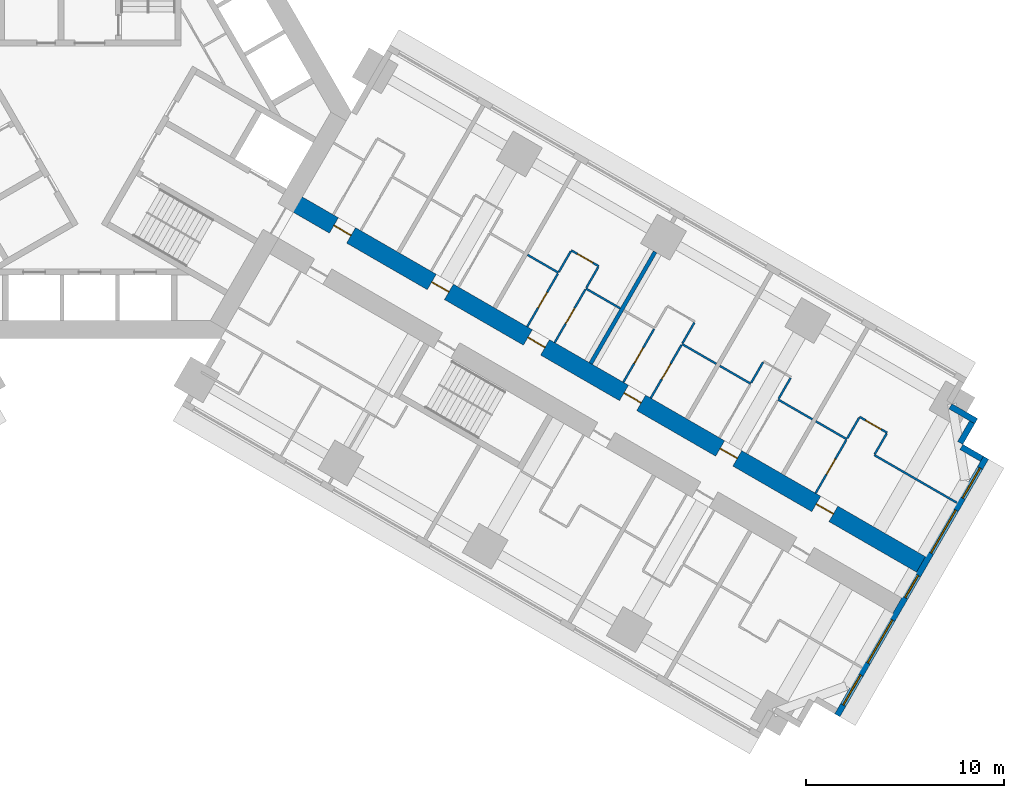
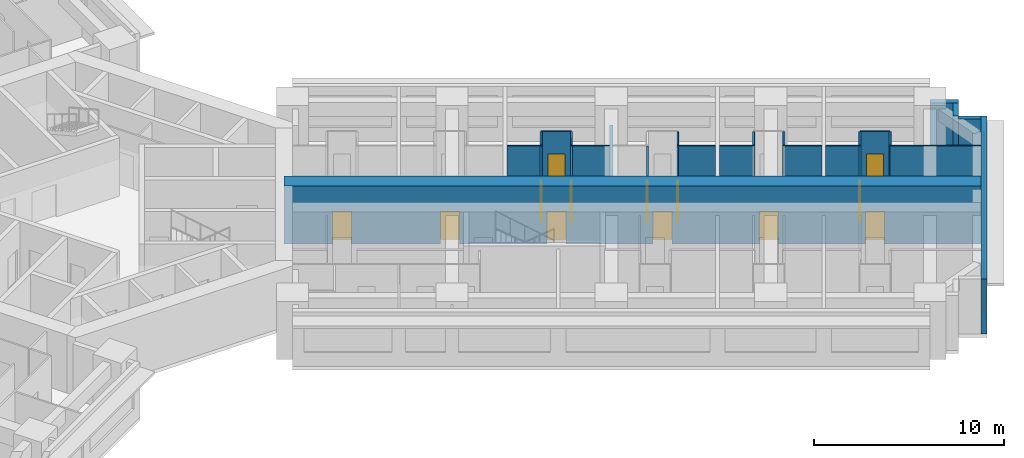
# One storey, part 12 of 16: 27 walls, 13 doors, 5 windows, 18 openings.
"""IFC4 building model written with IfcOpenShell, lengths in metres."""

from ifc_helpers import new_model, si_unit, direction, frame, frame_2d, origin, place, context, subcontext, project, spatial, rectangle, extrude, material, layer, layer_set, type_object, element, fill, save


model = new_model("IFC4")

# Units and contexts
model_context = context("Model", 3, precision=1e-05, world=origin(), true_north=direction((0.0, 1.0)))
body_context = subcontext(model_context, "Body", "Model", "MODEL_VIEW")
ifc_project = project(units=[si_unit("LENGTHUNIT", "METRE"), si_unit("AREAUNIT", "SQUARE_METRE"), si_unit("VOLUMEUNIT", "CUBIC_METRE"), si_unit("PLANEANGLEUNIT", "RADIAN"), si_unit("MASSUNIT", "GRAM", prefix="KILO")], contexts=[model_context])

# Site, building, storey
site_placement = place(None, origin())
site = spatial("IfcSite", under=ifc_project, at=site_placement, CompositionType="ELEMENT")
building_placement = place(site_placement, origin())
building = spatial("IfcBuilding", under=site, at=building_placement, Name="Impinga Residences", CompositionType="ELEMENT")
storey_placement = place(building_placement, frame((0.0, 0.0, 44.75)))
storey = spatial("IfcBuildingStorey", under=building, at=storey_placement, Name="L10", CompositionType="ELEMENT", Elevation=44.75)

# Wall, openings, doors
ifc_material_1 = material(Name="Concrete C70/85", Category="concrete")
ifc_layer_1 = layer(ifc_material_1, 0.89990234375)
ifc_layer_set_1 = layer_set([ifc_layer_1], Name="Concrete C70/85")
wall_type_1 = type_object("IfcWallType", Name="BW1 corridor buttress wall, L05 to L22 900", PredefinedType="SHEAR", material=ifc_layer_set_1)
wall_1_placement = place(storey_placement, frame((10.1103515625, -4.451416015625, 0.0), z_axis=(0.0, 0.0, 1.0), x_axis=(0.866025284237, -0.500000207062, 0.0)))
wall_1 = element("IfcWall", 1, at=wall_1_placement, inside=storey, type_object=wall_type_1, Name="Corridor wall BW1 EC L10", PredefinedType="SHEAR", context=body_context, shape_type="SweptSolid", body=[
    extrude(rectangle(XDim=36.75, YDim=0.89990234375, at=frame_2d((18.375, 0.0))), origin(), (0.0, 0.0, 1.0), 3.75),
])
opening_1_placement = place(wall_1_placement, frame((2.550048828125, 0.0, 0.0)))
opening_1 = element("IfcOpeningElement", 2, at=opening_1_placement, cuts=wall_1, Name="Opening D1", PredefinedType="OPENING", context=body_context, shape_type="SweptSolid", body=[
    extrude(rectangle(XDim=1.0, YDim=2.10009765625, at=frame_2d((0.5, 1.050048828125))), frame((0.0, 0.4599609375, 0.0), z_axis=(0.0, -1.0, 0.0), x_axis=(1.0, 0.0, 0.0)), (0.0, 0.0, 1.0), 0.919921875),
])
opening_2_placement = place(wall_1_placement, frame((8.25, 0.0, 0.0)))
opening_2 = element("IfcOpeningElement", 3, at=opening_2_placement, cuts=wall_1, Name="Opening D1", PredefinedType="OPENING", context=body_context, shape_type="SweptSolid", body=[
    extrude(rectangle(XDim=1.0, YDim=2.10009765625, at=frame_2d((0.5, 1.050048828125))), frame((0.0, 0.4599609375, 0.0), z_axis=(0.0, -1.0, 0.0), x_axis=(1.0, 0.0, 0.0)), (0.0, 0.0, 1.0), 0.919921875),
])
opening_3_placement = place(wall_1_placement, frame((13.85009765625, 0.0, 0.0)))
opening_3 = element("IfcOpeningElement", 4, at=opening_3_placement, cuts=wall_1, Name="Opening D1", PredefinedType="OPENING", context=body_context, shape_type="SweptSolid", body=[
    extrude(rectangle(XDim=1.0, YDim=2.10009765625, at=frame_2d((0.5, 1.050048828125))), frame((0.0, 0.4599609375, 0.0), z_axis=(0.0, -1.0, 0.0), x_axis=(1.0, 0.0, 0.0)), (0.0, 0.0, 1.0), 0.919921875),
])
opening_4_placement = place(wall_1_placement, frame((19.449951171875, 0.0, 0.0)))
opening_4 = element("IfcOpeningElement", 5, at=opening_4_placement, cuts=wall_1, Name="Opening D1", PredefinedType="OPENING", context=body_context, shape_type="SweptSolid", body=[
    extrude(rectangle(XDim=1.0, YDim=2.10009765625, at=frame_2d((0.5, 1.050048828125))), frame((0.0, 0.4599609375, 0.0), z_axis=(0.0, -1.0, 0.0), x_axis=(1.0, 0.0, 0.0)), (0.0, 0.0, 1.0), 0.919921875),
])
opening_5_placement = place(wall_1_placement, frame((25.050048828125, 0.0, 0.0)))
opening_5 = element("IfcOpeningElement", 6, at=opening_5_placement, cuts=wall_1, Name="Opening D1", PredefinedType="OPENING", context=body_context, shape_type="SweptSolid", body=[
    extrude(rectangle(XDim=1.0, YDim=2.10009765625, at=frame_2d((0.5, 1.050048828125))), frame((0.0, 0.4599609375, 0.0), z_axis=(0.0, -1.0, 0.0), x_axis=(1.0, 0.0, 0.0)), (0.0, 0.0, 1.0), 0.919921875),
])
opening_6_placement = place(wall_1_placement, frame((30.64990234375, 0.0, 0.0)))
opening_6 = element("IfcOpeningElement", 7, at=opening_6_placement, cuts=wall_1, Name="Opening D1", PredefinedType="OPENING", context=body_context, shape_type="SweptSolid", body=[
    extrude(rectangle(XDim=1.0, YDim=2.10009765625, at=frame_2d((0.5, 1.050048828125))), frame((0.0, 0.4599609375, 0.0), z_axis=(0.0, -1.0, 0.0), x_axis=(1.0, 0.0, 0.0)), (0.0, 0.0, 1.0), 0.919921875),
])
ifc_material_2 = material(Name="Timber door set", Category="wood")
door_type_1 = type_object("IfcDoorType", Name="D1 apartment entrance door 1000x2100", OperationType="SINGLE_SWING_LEFT", PredefinedType="DOOR", material=ifc_material_2)
door_1_placement = place(opening_1_placement, origin())
door_1 = element("IfcDoor", 8, at=door_1_placement, inside=storey, type_object=door_type_1, Name="Apartment L10-EA1 entrance", OperationType="SINGLE_SWING_LEFT", OverallHeight=2.10009765625, OverallWidth=1.0, PredefinedType="DOOR", context=body_context, shape_type="SweptSolid", body=[
    extrude(rectangle(XDim=1.0, YDim=2.10009765625, at=frame_2d((0.5, 1.050048828125))), frame((0.0, 0.02490234375, 0.0), z_axis=(0.0, -1.0, 0.0), x_axis=(1.0, 0.0, 0.0)), (0.0, 0.0, 1.0), 0.050048828125),
])
fill(opening_1, door_1)
door_2_placement = place(opening_2_placement, origin())
door_2 = element("IfcDoor", 9, at=door_2_placement, inside=storey, type_object=door_type_1, Name="Apartment L10-EA2 entrance", OperationType="SINGLE_SWING_LEFT", OverallHeight=2.10009765625, OverallWidth=1.0, PredefinedType="DOOR", context=body_context, shape_type="SweptSolid", body=[
    extrude(rectangle(XDim=1.0, YDim=2.10009765625, at=frame_2d((0.5, 1.050048828125))), frame((0.0, 0.02490234375, 0.0), z_axis=(0.0, -1.0, 0.0), x_axis=(1.0, 0.0, 0.0)), (0.0, 0.0, 1.0), 0.050048828125),
])
fill(opening_2, door_2)
door_3_placement = place(opening_3_placement, origin())
door_3 = element("IfcDoor", 10, at=door_3_placement, inside=storey, type_object=door_type_1, Name="Apartment L10-EA3 entrance", OperationType="SINGLE_SWING_LEFT", OverallHeight=2.10009765625, OverallWidth=1.0, PredefinedType="DOOR", context=body_context, shape_type="SweptSolid", body=[
    extrude(rectangle(XDim=1.0, YDim=2.10009765625, at=frame_2d((0.5, 1.050048828125))), frame((0.0, 0.02490234375, 0.0), z_axis=(0.0, -1.0, 0.0), x_axis=(1.0, 0.0, 0.0)), (0.0, 0.0, 1.0), 0.050048828125),
])
fill(opening_3, door_3)
door_4_placement = place(opening_4_placement, origin())
door_4 = element("IfcDoor", 11, at=door_4_placement, inside=storey, type_object=door_type_1, Name="Apartment L10-EA4 entrance", OperationType="SINGLE_SWING_RIGHT", OverallHeight=2.10009765625, OverallWidth=1.0, PredefinedType="DOOR", context=body_context, shape_type="SweptSolid", body=[
    extrude(rectangle(XDim=1.0, YDim=2.10009765625, at=frame_2d((0.5, 1.050048828125))), frame((0.0, 0.02490234375, 0.0), z_axis=(0.0, -1.0, 0.0), x_axis=(1.0, 0.0, 0.0)), (0.0, 0.0, 1.0), 0.050048828125),
])
fill(opening_4, door_4)
door_5_placement = place(opening_5_placement, origin())
door_5 = element("IfcDoor", 12, at=door_5_placement, inside=storey, type_object=door_type_1, Name="Apartment L10-EA5 entrance", OperationType="SINGLE_SWING_RIGHT", OverallHeight=2.10009765625, OverallWidth=1.0, PredefinedType="DOOR", context=body_context, shape_type="SweptSolid", body=[
    extrude(rectangle(XDim=1.0, YDim=2.10009765625, at=frame_2d((0.5, 1.050048828125))), frame((0.0, 0.02490234375, 0.0), z_axis=(0.0, -1.0, 0.0), x_axis=(1.0, 0.0, 0.0)), (0.0, 0.0, 1.0), 0.050048828125),
])
fill(opening_5, door_5)
door_6_placement = place(opening_6_placement, origin())
door_6 = element("IfcDoor", 13, at=door_6_placement, inside=storey, type_object=door_type_1, Name="Apartment L10-EA6 entrance", OperationType="SINGLE_SWING_RIGHT", OverallHeight=2.10009765625, OverallWidth=1.0, PredefinedType="DOOR", context=body_context, shape_type="SweptSolid", body=[
    extrude(rectangle(XDim=1.0, YDim=2.10009765625, at=frame_2d((0.5, 1.050048828125))), frame((0.0, 0.02490234375, 0.0), z_axis=(0.0, -1.0, 0.0), x_axis=(1.0, 0.0, 0.0)), (0.0, 0.0, 1.0), 0.050048828125),
])
fill(opening_6, door_6)

# Walls
ifc_material_3 = material(Name="Terracotta rainscreen on blockwork", Category="masonry")
ifc_layer_2 = layer(ifc_material_3, 0.300048828125)
ifc_layer_set_2 = layer_set([ifc_layer_2], Name="EW1 external wall, terracotta rainscreen on blockwork 300")
wall_type_2 = type_object("IfcWallType", Name="EW1 external wall, terracotta rainscreen on blockwork 300", PredefinedType="SOLIDWALL", material=ifc_layer_set_2)
wall_2_placement = place(storey_placement, frame((43.42333984375, -14.8515625, 0.0), z_axis=(0.0, 0.0, 1.0), x_axis=(0.866031096941, -0.499990139034, 0.0)))
element("IfcWall", 14, at=wall_2_placement, inside=storey, type_object=wall_type_2, Name="External wall EW1 L10", PredefinedType="SOLIDWALL", context=body_context, shape_type="SweptSolid", body=[
    extrude(rectangle(XDim=1.5, YDim=0.300048828125, at=frame_2d((0.75, 0.0))), origin(), (0.0, 0.0, 1.0), 3.530029296875),
])
wall_3_placement = place(storey_placement, frame((44.517578125, -15.65625, 0.0), z_axis=(0.0, 0.0, 1.0), x_axis=(-0.500033551112, -0.866006032174, 0.0)))
element("IfcWall", 15, at=wall_3_placement, inside=storey, type_object=wall_type_2, Name="External wall EW1 L10", PredefinedType="SOLIDWALL", context=body_context, shape_type="SweptSolid", body=[
    extrude(rectangle(XDim=1.2001953125, YDim=0.300048828125, at=frame_2d((0.60009765625, 0.0))), origin(), (0.0, 0.0, 1.0), 3.530029296875),
])
wall_4_placement = place(storey_placement, frame((43.976806640625, -16.903076171875, 0.0), z_axis=(0.0, 0.0, 1.0), x_axis=(0.866059708757, -0.499940577336, 0.0)))
element("IfcWall", 16, at=wall_4_placement, inside=storey, type_object=wall_type_2, Name="External wall EW1 L10", PredefinedType="SOLIDWALL", context=body_context, shape_type="SweptSolid", body=[
    extrude(rectangle(XDim=1.195068359375, YDim=0.300048828125, at=frame_2d((0.59765625, 0.0))), origin(), (0.0, 0.0, 1.0), 3.530029296875),
])

# Wall, openings, windows
wall_5_placement = place(storey_placement, frame((45.216552734375, -17.445556640625, 0.0), z_axis=(0.0, 0.0, 1.0), x_axis=(-0.499997186618, -0.866027028085, 0.0)))
wall_5 = element("IfcWall", 17, at=wall_5_placement, inside=storey, type_object=wall_type_2, Name="External wall EW1 L10", PredefinedType="SOLIDWALL", context=body_context, shape_type="SweptSolid", body=[
    extrude(rectangle(XDim=15.0, YDim=0.300048828125, at=frame_2d((7.5, 0.0))), origin(), (0.0, 0.0, 1.0), 3.530029296875),
])
opening_7_placement = place(wall_5_placement, frame((0.60009765625, 0.0, 0.89990234375)))
opening_7 = element("IfcOpeningElement", 18, at=opening_7_placement, cuts=wall_5, Name="Opening W1", PredefinedType="OPENING", context=body_context, shape_type="SweptSolid", body=[
    extrude(rectangle(XDim=1.75, YDim=2.050048828125, at=frame_2d((0.875, 1.02490234375))), frame((0.0, 0.159912109375, 0.0), z_axis=(0.0, -1.0, 0.0), x_axis=(1.0, 0.0, 0.0)), (0.0, 0.0, 1.0), 0.320068359375),
])
opening_8_placement = place(wall_5_placement, frame((3.050048828125, 0.0, 0.89990234375)))
opening_8 = element("IfcOpeningElement", 19, at=opening_8_placement, cuts=wall_5, Name="Opening W2", PredefinedType="OPENING", context=body_context, shape_type="SweptSolid", body=[
    extrude(rectangle(XDim=2.5, YDim=2.050048828125, at=frame_2d((1.25, 1.02490234375))), frame((0.0, 0.159912109375, 0.0), z_axis=(0.0, -1.0, 0.0), x_axis=(1.0, 0.0, 0.0)), (0.0, 0.0, 1.0), 0.320068359375),
])
opening_9_placement = place(wall_5_placement, frame((6.85009765625, 0.0, 0.89990234375)))
opening_9 = element("IfcOpeningElement", 20, at=opening_9_placement, cuts=wall_5, Name="Opening WE1", PredefinedType="OPENING", context=body_context, shape_type="SweptSolid", body=[
    extrude(rectangle(XDim=1.300048828125, YDim=2.050048828125, at=frame_2d((0.64990234375, 1.02490234375))), frame((0.0, 0.159912109375, 0.0), z_axis=(0.0, -1.0, 0.0), x_axis=(1.0, 0.0, 0.0)), (0.0, 0.0, 1.0), 0.320068359375),
])
opening_10_placement = place(wall_5_placement, frame((9.449951171875, 0.0, 0.89990234375)))
opening_10 = element("IfcOpeningElement", 21, at=opening_10_placement, cuts=wall_5, Name="Opening W2", PredefinedType="OPENING", context=body_context, shape_type="SweptSolid", body=[
    extrude(rectangle(XDim=2.5, YDim=2.050048828125, at=frame_2d((1.25, 1.02490234375))), frame((0.0, 0.159912109375, 0.0), z_axis=(0.0, -1.0, 0.0), x_axis=(1.0, 0.0, 0.0)), (0.0, 0.0, 1.0), 0.320068359375),
])
opening_11_placement = place(wall_5_placement, frame((12.64990234375, 0.0, 0.89990234375)))
opening_11 = element("IfcOpeningElement", 22, at=opening_11_placement, cuts=wall_5, Name="Opening W1", PredefinedType="OPENING", context=body_context, shape_type="SweptSolid", body=[
    extrude(rectangle(XDim=1.75, YDim=2.050048828125, at=frame_2d((0.875, 1.02490234375))), frame((0.0, 0.159912109375, 0.0), z_axis=(0.0, -1.0, 0.0), x_axis=(1.0, 0.0, 0.0)), (0.0, 0.0, 1.0), 0.320068359375),
])
ifc_material_4 = material(Name="Aluminium window, clear double glazing", Category="aluminium")
window_type_1 = type_object("IfcWindowType", Name="W1 ribbon window 1750x2050", PartitioningType="SINGLE_PANEL", PredefinedType="WINDOW", material=ifc_material_4)
window_1_placement = place(opening_7_placement, origin())
window_1 = element("IfcWindow", 23, at=window_1_placement, inside=storey, type_object=window_type_1, Name="Window L10", OverallHeight=2.050048828125, OverallWidth=1.75, PartitioningType="SINGLE_PANEL", PredefinedType="WINDOW", context=body_context, shape_type="SweptSolid", body=[
    extrude(rectangle(XDim=1.75, YDim=2.050048828125, at=frame_2d((0.875, 1.02490234375))), frame((0.0, 0.030029296875, 0.0), z_axis=(0.0, -1.0, 0.0), x_axis=(1.0, 0.0, 0.0)), (0.0, 0.0, 1.0), 0.06005859375),
])
fill(opening_7, window_1)
window_2_placement = place(opening_11_placement, origin())
window_2 = element("IfcWindow", 24, at=window_2_placement, inside=storey, type_object=window_type_1, Name="Window L10", OverallHeight=2.050048828125, OverallWidth=1.75, PartitioningType="SINGLE_PANEL", PredefinedType="WINDOW", context=body_context, shape_type="SweptSolid", body=[
    extrude(rectangle(XDim=1.75, YDim=2.050048828125, at=frame_2d((0.875, 1.02490234375))), frame((0.0, 0.030029296875, 0.0), z_axis=(0.0, -1.0, 0.0), x_axis=(1.0, 0.0, 0.0)), (0.0, 0.0, 1.0), 0.06005859375),
])
fill(opening_11, window_2)
window_type_2 = type_object("IfcWindowType", Name="W2 ribbon window 2500x2050", PartitioningType="SINGLE_PANEL", PredefinedType="WINDOW", material=ifc_material_4)
window_3_placement = place(opening_8_placement, origin())
window_3 = element("IfcWindow", 25, at=window_3_placement, inside=storey, type_object=window_type_2, Name="Window L10", OverallHeight=2.050048828125, OverallWidth=2.5, PartitioningType="SINGLE_PANEL", PredefinedType="WINDOW", context=body_context, shape_type="SweptSolid", body=[
    extrude(rectangle(XDim=2.5, YDim=2.050048828125, at=frame_2d((1.25, 1.02490234375))), frame((0.0, 0.030029296875, 0.0), z_axis=(0.0, -1.0, 0.0), x_axis=(1.0, 0.0, 0.0)), (0.0, 0.0, 1.0), 0.06005859375),
])
fill(opening_8, window_3)
window_4_placement = place(opening_10_placement, origin())
window_4 = element("IfcWindow", 26, at=window_4_placement, inside=storey, type_object=window_type_2, Name="Window L10", OverallHeight=2.050048828125, OverallWidth=2.5, PartitioningType="SINGLE_PANEL", PredefinedType="WINDOW", context=body_context, shape_type="SweptSolid", body=[
    extrude(rectangle(XDim=2.5, YDim=2.050048828125, at=frame_2d((1.25, 1.02490234375))), frame((0.0, 0.030029296875, 0.0), z_axis=(0.0, -1.0, 0.0), x_axis=(1.0, 0.0, 0.0)), (0.0, 0.0, 1.0), 0.06005859375),
])
fill(opening_10, window_4)
window_type_3 = type_object("IfcWindowType", Name="WE1 corridor window 1300x2050", PartitioningType="SINGLE_PANEL", PredefinedType="WINDOW", material=ifc_material_4)
window_5_placement = place(opening_9_placement, origin())
window_5 = element("IfcWindow", 27, at=window_5_placement, inside=storey, type_object=window_type_3, Name="Window L10", OverallHeight=2.050048828125, OverallWidth=1.300048828125, PartitioningType="SINGLE_PANEL", PredefinedType="WINDOW", context=body_context, shape_type="SweptSolid", body=[
    extrude(rectangle(XDim=1.300048828125, YDim=2.050048828125, at=frame_2d((0.64990234375, 1.02490234375))), frame((0.0, 0.030029296875, 0.0), z_axis=(0.0, -1.0, 0.0), x_axis=(1.0, 0.0, 0.0)), (0.0, 0.0, 1.0), 0.06005859375),
])
fill(opening_9, window_5)

# Walls
ifc_material_5 = material(Name="Gypsum board on steel studs", Category="steel")
ifc_layer_3 = layer(ifc_material_5, 0.10009765625)
ifc_layer_set_3 = layer_set([ifc_layer_3], Name="Gypsum board on steel studs")
wall_type_3 = type_object("IfcWallType", Name="IP1 partition 100", PredefinedType="PARTITIONING", material=ifc_layer_set_3)
wall_6_placement = place(storey_placement, frame((22.086181640625, -7.208740234375, 0.0), z_axis=(0.0, 0.0, 1.0), x_axis=(0.865989075817, -0.500062916607, 0.0)))
element("IfcWall", 28, at=wall_6_placement, inside=storey, type_object=wall_type_3, Name="Partition L10-EA3:DIV0", PredefinedType="PARTITIONING", context=body_context, shape_type="SweptSolid", body=[
    extrude(rectangle(XDim=1.800048828125, YDim=0.10009765625, at=frame_2d((0.89990234375, 0.0))), origin(), (0.0, 0.0, 1.0), 3.530029296875),
])
wall_7_placement = place(storey_placement, frame((25.030517578125, -8.908935546875, 0.0), z_axis=(0.0, 0.0, 1.0), x_axis=(0.866041268327, -0.499972520799, 0.0)))
element("IfcWall", 29, at=wall_7_placement, inside=storey, type_object=wall_type_3, Name="Partition L10-EA3:DIV1", PredefinedType="PARTITIONING", context=body_context, shape_type="SweptSolid", body=[
    extrude(rectangle(XDim=2.0, YDim=0.10009765625, at=frame_2d((1.0, 0.0))), origin(), (0.0, 0.0, 1.0), 3.530029296875),
])

# Wall, opening, door
wall_8_placement = place(storey_placement, frame((24.294921875, -6.98291015625, 0.0), z_axis=(0.0, 0.0, 1.0), x_axis=(0.866028054938, -0.499995408039, 0.0)))
wall_8 = element("IfcWall", 30, at=wall_8_placement, inside=storey, type_object=wall_type_3, Name="Partition L10-EA3:STRIP", PredefinedType="PARTITIONING", context=body_context, shape_type="SweptSolid", body=[
    extrude(rectangle(XDim=1.60009765625, YDim=0.10009765625, at=frame_2d((0.800048828125, 0.0))), origin(), (0.0, 0.0, 1.0), 3.530029296875),
])
opening_12_placement = place(wall_8_placement, frame((0.35009765625, 0.0, 0.0)))
opening_12 = element("IfcOpeningElement", 31, at=opening_12_placement, cuts=wall_8, Name="Opening D2", PredefinedType="OPENING", context=body_context, shape_type="SweptSolid", body=[
    extrude(rectangle(XDim=0.89990234375, YDim=2.10009765625, at=frame_2d((0.449951171875, 1.050048828125))), frame((0.0, 0.06005859375, 0.0), z_axis=(0.0, -1.0, 0.0), x_axis=(1.0, 0.0, 0.0)), (0.0, 0.0, 1.0), 0.1201171875),
])
door_type_2 = type_object("IfcDoorType", Name="D2 internal door 900x2100", OperationType="SINGLE_SWING_LEFT", PredefinedType="DOOR", material=ifc_material_2)
door_7_placement = place(opening_12_placement, origin())
door_7 = element("IfcDoor", 32, at=door_7_placement, inside=storey, type_object=door_type_2, Name="Apartment L10-EA3 room door", OperationType="SINGLE_SWING_LEFT", OverallHeight=2.10009765625, OverallWidth=0.89990234375, PredefinedType="DOOR", context=body_context, shape_type="SweptSolid", body=[
    extrude(rectangle(XDim=0.89990234375, YDim=2.10009765625, at=frame_2d((0.449951171875, 1.050048828125))), frame((0.0, 0.02490234375, 0.0), z_axis=(0.0, -1.0, 0.0), x_axis=(1.0, 0.0, 0.0)), (0.0, 0.0, 1.0), 0.050048828125),
])
fill(opening_12, door_7)

# Walls
wall_9_placement = place(storey_placement, frame((23.669921875, -8.0654296875, 0.0), z_axis=(0.0, 0.0, 1.0), x_axis=(0.50012165622, 0.865955154139, 0.0)))
element("IfcWall", 33, at=wall_9_placement, inside=storey, type_object=wall_type_3, Name="Partition L10-EA3:SE0", PredefinedType="PARTITIONING", context=body_context, shape_type="SweptSolid", body=[
    extrude(rectangle(XDim=1.199951171875, YDim=0.10009765625, at=frame_2d((0.60009765625, 0.0))), origin(), (0.0, 0.0, 1.0), 3.530029296875),
])
wall_10_placement = place(storey_placement, frame((25.0556640625, -8.865478515625, 0.0), z_axis=(0.0, 0.0, 1.0), x_axis=(0.499969057507, 0.866043267704, 0.0)))
element("IfcWall", 34, at=wall_10_placement, inside=storey, type_object=wall_type_3, Name="Partition L10-EA3:SE1", PredefinedType="PARTITIONING", context=body_context, shape_type="SweptSolid", body=[
    extrude(rectangle(XDim=1.19970703125, YDim=0.10009765625, at=frame_2d((0.599853515625, 0.0))), origin(), (0.0, 0.0, 1.0), 3.530029296875),
])

# Wall, opening, door
wall_11_placement = place(storey_placement, frame((22.06982421875, -10.8369140625, 0.0), z_axis=(0.0, 0.0, 1.0), x_axis=(0.49999285859, 0.86602952684, 0.0)))
wall_11 = element("IfcWall", 35, at=wall_11_placement, inside=storey, type_object=wall_type_3, Name="Partition L10-EA3:IB1", PredefinedType="PARTITIONING", context=body_context, shape_type="SweptSolid", body=[
    extrude(rectangle(XDim=3.10009765625, YDim=0.10009765625, at=frame_2d((1.550048828125, 0.0))), origin(), (0.0, 0.0, 1.0), 3.530029296875),
])
opening_13_placement = place(wall_11_placement, frame((1.10009765625, 0.0, 0.0)))
opening_13 = element("IfcOpeningElement", 36, at=opening_13_placement, cuts=wall_11, Name="Opening D2", PredefinedType="OPENING", context=body_context, shape_type="SweptSolid", body=[
    extrude(rectangle(XDim=0.89990234375, YDim=2.10009765625, at=frame_2d((0.449951171875, 1.050048828125))), frame((0.0, 0.06005859375, 0.0), z_axis=(0.0, -1.0, 0.0), x_axis=(1.0, 0.0, 0.0)), (0.0, 0.0, 1.0), 0.1201171875),
])
door_8_placement = place(opening_13_placement, origin())
door_8 = element("IfcDoor", 37, at=door_8_placement, inside=storey, type_object=door_type_2, Name="Apartment L10-EA3 bathroom door", OperationType="SINGLE_SWING_LEFT", OverallHeight=2.10009765625, OverallWidth=0.89990234375, PredefinedType="DOOR", context=body_context, shape_type="SweptSolid", body=[
    extrude(rectangle(XDim=0.89990234375, YDim=2.10009765625, at=frame_2d((0.449951171875, 1.050048828125))), frame((0.0, 0.02490234375, 0.0), z_axis=(0.0, -1.0, 0.0), x_axis=(1.0, 0.0, 0.0)), (0.0, 0.0, 1.0), 0.050048828125),
])
fill(opening_13, door_8)

wall_12_placement = place(storey_placement, frame((23.45556640625, -11.63671875, 0.0), z_axis=(0.0, 0.0, 1.0), x_axis=(0.500026960575, 0.86600983753, 0.0)))
wall_12 = element("IfcWall", 38, at=wall_12_placement, inside=storey, type_object=wall_type_3, Name="Partition L10-EA3:IB2", PredefinedType="PARTITIONING", context=body_context, shape_type="SweptSolid", body=[
    extrude(rectangle(XDim=3.099853515625, YDim=0.10009765625, at=frame_2d((1.5498046875, 0.0))), origin(), (0.0, 0.0, 1.0), 3.530029296875),
])
opening_14_placement = place(wall_12_placement, frame((1.10009765625, 0.0, 0.0)))
opening_14 = element("IfcOpeningElement", 39, at=opening_14_placement, cuts=wall_12, Name="Opening D2", PredefinedType="OPENING", context=body_context, shape_type="SweptSolid", body=[
    extrude(rectangle(XDim=0.89990234375, YDim=2.10009765625, at=frame_2d((0.449951171875, 1.050048828125))), frame((0.0, 0.06005859375, 0.0), z_axis=(0.0, -1.0, 0.0), x_axis=(1.0, 0.0, 0.0)), (0.0, 0.0, 1.0), 0.1201171875),
])
door_9_placement = place(opening_14_placement, origin())
door_9 = element("IfcDoor", 40, at=door_9_placement, inside=storey, type_object=door_type_2, Name="Apartment L10-EA3 WC door", OperationType="SINGLE_SWING_LEFT", OverallHeight=2.10009765625, OverallWidth=0.89990234375, PredefinedType="DOOR", context=body_context, shape_type="SweptSolid", body=[
    extrude(rectangle(XDim=0.89990234375, YDim=2.10009765625, at=frame_2d((0.449951171875, 1.050048828125))), frame((0.0, 0.02490234375, 0.0), z_axis=(0.0, -1.0, 0.0), x_axis=(1.0, 0.0, 0.0)), (0.0, 0.0, 1.0), 0.050048828125),
])
fill(opening_14, door_9)

# Walls
wall_13_placement = place(storey_placement, frame((29.88037109375, -11.708740234375, 0.0), z_axis=(0.0, 0.0, 1.0), x_axis=(0.866010750942, -0.50002537861, 0.0)))
element("IfcWall", 41, at=wall_13_placement, inside=storey, type_object=wall_type_3, Name="Partition L10-EA4:DIV1", PredefinedType="PARTITIONING", context=body_context, shape_type="SweptSolid", body=[
    extrude(rectangle(XDim=2.0, YDim=0.10009765625, at=frame_2d((1.0, 0.0))), origin(), (0.0, 0.0, 1.0), 3.530029296875),
])
wall_14_placement = place(storey_placement, frame((29.9052734375, -11.66552734375, 0.0), z_axis=(0.0, 0.0, 1.0), x_axis=(0.500033551112, 0.866006032174, 0.0)))
element("IfcWall", 42, at=wall_14_placement, inside=storey, type_object=wall_type_3, Name="Partition L10-EA4:SE1", PredefinedType="PARTITIONING", context=body_context, shape_type="SweptSolid", body=[
    extrude(rectangle(XDim=1.2001953125, YDim=0.10009765625, at=frame_2d((0.60009765625, 0.0))), origin(), (0.0, 0.0, 1.0), 3.530029296875),
])

# Wall, opening, door
wall_15_placement = place(storey_placement, frame((26.919677734375, -13.63671875, 0.0), z_axis=(0.0, 0.0, 1.0), x_axis=(0.500026960575, 0.86600983753, 0.0)))
wall_15 = element("IfcWall", 43, at=wall_15_placement, inside=storey, type_object=wall_type_3, Name="Partition L10-EA4:IB1", PredefinedType="PARTITIONING", context=body_context, shape_type="SweptSolid", body=[
    extrude(rectangle(XDim=3.099853515625, YDim=0.10009765625, at=frame_2d((1.5498046875, 0.0))), origin(), (0.0, 0.0, 1.0), 3.530029296875),
])
opening_15_placement = place(wall_15_placement, frame((1.10009765625, 0.0, 0.0)))
opening_15 = element("IfcOpeningElement", 44, at=opening_15_placement, cuts=wall_15, Name="Opening D2", PredefinedType="OPENING", context=body_context, shape_type="SweptSolid", body=[
    extrude(rectangle(XDim=0.89990234375, YDim=2.10009765625, at=frame_2d((0.449951171875, 1.050048828125))), frame((0.0, 0.06005859375, 0.0), z_axis=(0.0, -1.0, 0.0), x_axis=(1.0, 0.0, 0.0)), (0.0, 0.0, 1.0), 0.1201171875),
])
door_10_placement = place(opening_15_placement, origin())
door_10 = element("IfcDoor", 45, at=door_10_placement, inside=storey, type_object=door_type_2, Name="Apartment L10-EA4 bathroom door", OperationType="SINGLE_SWING_LEFT", OverallHeight=2.10009765625, OverallWidth=0.89990234375, PredefinedType="DOOR", context=body_context, shape_type="SweptSolid", body=[
    extrude(rectangle(XDim=0.89990234375, YDim=2.10009765625, at=frame_2d((0.449951171875, 1.050048828125))), frame((0.0, 0.02490234375, 0.0), z_axis=(0.0, -1.0, 0.0), x_axis=(1.0, 0.0, 0.0)), (0.0, 0.0, 1.0), 0.050048828125),
])
fill(opening_15, door_10)

wall_16_placement = place(storey_placement, frame((28.305419921875, -14.436767578125, 0.0), z_axis=(0.0, 0.0, 1.0), x_axis=(0.499967891604, 0.866043940782, 0.0)))
wall_16 = element("IfcWall", 46, at=wall_16_placement, inside=storey, type_object=wall_type_3, Name="Partition L10-EA4:IB2", PredefinedType="PARTITIONING", context=body_context, shape_type="SweptSolid", body=[
    extrude(rectangle(XDim=3.099853515625, YDim=0.10009765625, at=frame_2d((1.5498046875, 0.0))), origin(), (0.0, 0.0, 1.0), 3.530029296875),
])
opening_16_placement = place(wall_16_placement, frame((1.10009765625, 0.0, 0.0)))
opening_16 = element("IfcOpeningElement", 47, at=opening_16_placement, cuts=wall_16, Name="Opening D2", PredefinedType="OPENING", context=body_context, shape_type="SweptSolid", body=[
    extrude(rectangle(XDim=0.89990234375, YDim=2.10009765625, at=frame_2d((0.449951171875, 1.050048828125))), frame((0.0, 0.06005859375, 0.0), z_axis=(0.0, -1.0, 0.0), x_axis=(1.0, 0.0, 0.0)), (0.0, 0.0, 1.0), 0.1201171875),
])
door_11_placement = place(opening_16_placement, origin())
door_11 = element("IfcDoor", 48, at=door_11_placement, inside=storey, type_object=door_type_2, Name="Apartment L10-EA4 WC door", OperationType="SINGLE_SWING_LEFT", OverallHeight=2.10009765625, OverallWidth=0.89990234375, PredefinedType="DOOR", context=body_context, shape_type="SweptSolid", body=[
    extrude(rectangle(XDim=0.89990234375, YDim=2.10009765625, at=frame_2d((0.449951171875, 1.050048828125))), frame((0.0, 0.02490234375, 0.0), z_axis=(0.0, -1.0, 0.0), x_axis=(1.0, 0.0, 0.0)), (0.0, 0.0, 1.0), 0.050048828125),
])
fill(opening_16, door_11)

# Walls
wall_17_placement = place(storey_placement, frame((31.78564453125, -12.808837890625, 0.0), z_axis=(0.0, 0.0, 1.0), x_axis=(0.866047807691, -0.499961193289, 0.0)))
element("IfcWall", 49, at=wall_17_placement, inside=storey, type_object=wall_type_3, Name="Partition L10-EA5:DIV0", PredefinedType="PARTITIONING", context=body_context, shape_type="SweptSolid", body=[
    extrude(rectangle(XDim=1.800048828125, YDim=0.10009765625, at=frame_2d((0.89990234375, 0.0))), origin(), (0.0, 0.0, 1.0), 3.530029296875),
])
wall_18_placement = place(storey_placement, frame((34.72998046875, -14.5087890625, 0.0), z_axis=(0.0, 0.0, 1.0), x_axis=(0.866041268327, -0.499972520799, 0.0)))
element("IfcWall", 50, at=wall_18_placement, inside=storey, type_object=wall_type_3, Name="Partition L10-EA5:DIV1", PredefinedType="PARTITIONING", context=body_context, shape_type="SweptSolid", body=[
    extrude(rectangle(XDim=2.0, YDim=0.10009765625, at=frame_2d((1.0, 0.0))), origin(), (0.0, 0.0, 1.0), 3.530029296875),
])
wall_19_placement = place(storey_placement, frame((33.369384765625, -13.66552734375, 0.0), z_axis=(0.0, 0.0, 1.0), x_axis=(0.500033551112, 0.866006032174, 0.0)))
element("IfcWall", 51, at=wall_19_placement, inside=storey, type_object=wall_type_3, Name="Partition L10-EA5:SE0", PredefinedType="PARTITIONING", context=body_context, shape_type="SweptSolid", body=[
    extrude(rectangle(XDim=1.2001953125, YDim=0.10009765625, at=frame_2d((0.60009765625, 0.0))), origin(), (0.0, 0.0, 1.0), 3.530029296875),
])
wall_20_placement = place(storey_placement, frame((34.755126953125, -14.465576171875, 0.0), z_axis=(0.0, 0.0, 1.0), x_axis=(0.499880961361, 0.866094119867, 0.0)))
element("IfcWall", 52, at=wall_20_placement, inside=storey, type_object=wall_type_3, Name="Partition L10-EA5:SE1", PredefinedType="PARTITIONING", context=body_context, shape_type="SweptSolid", body=[
    extrude(rectangle(XDim=1.199951171875, YDim=0.10009765625, at=frame_2d((0.60009765625, 0.0))), origin(), (0.0, 0.0, 1.0), 3.530029296875),
])
wall_21_placement = place(storey_placement, frame((36.63525390625, -15.60888671875, 0.0), z_axis=(0.0, 0.0, 1.0), x_axis=(0.866047807691, -0.499961193289, 0.0)))
element("IfcWall", 53, at=wall_21_placement, inside=storey, type_object=wall_type_3, Name="Partition L10-EA6:DIV0", PredefinedType="PARTITIONING", context=body_context, shape_type="SweptSolid", body=[
    extrude(rectangle(XDim=1.800048828125, YDim=0.10009765625, at=frame_2d((0.89990234375, 0.0))), origin(), (0.0, 0.0, 1.0), 3.530029296875),
])
wall_22_placement = place(storey_placement, frame((39.579833984375, -17.308837890625, 0.0), z_axis=(0.0, 0.0, 1.0), x_axis=(0.866037363387, -0.499979284789, 0.0)))
element("IfcWall", 54, at=wall_22_placement, inside=storey, type_object=wall_type_3, Name="Partition L10-EA6:DIV1", PredefinedType="PARTITIONING", context=body_context, shape_type="SweptSolid", body=[
    extrude(rectangle(XDim=4.800048828125, YDim=0.10009765625, at=frame_2d((2.39990234375, 0.0))), origin(), (0.0, 0.0, 1.0), 3.530029296875),
])

# Wall, opening, door
wall_23_placement = place(storey_placement, frame((38.84423828125, -15.383056640625, 0.0), z_axis=(0.0, 0.0, 1.0), x_axis=(0.865989903783, -0.500061482766, 0.0)))
wall_23 = element("IfcWall", 55, at=wall_23_placement, inside=storey, type_object=wall_type_3, Name="Partition L10-EA6:STRIP", PredefinedType="PARTITIONING", context=body_context, shape_type="SweptSolid", body=[
    extrude(rectangle(XDim=1.599853515625, YDim=0.10009765625, at=frame_2d((0.7998046875, 0.0))), origin(), (0.0, 0.0, 1.0), 3.530029296875),
])
opening_17_placement = place(wall_23_placement, frame((0.35009765625, 0.0, 0.0)))
opening_17 = element("IfcOpeningElement", 56, at=opening_17_placement, cuts=wall_23, Name="Opening D2", PredefinedType="OPENING", context=body_context, shape_type="SweptSolid", body=[
    extrude(rectangle(XDim=0.89990234375, YDim=2.10009765625, at=frame_2d((0.449951171875, 1.050048828125))), frame((0.0, 0.06005859375, 0.0), z_axis=(0.0, -1.0, 0.0), x_axis=(1.0, 0.0, 0.0)), (0.0, 0.0, 1.0), 0.1201171875),
])
door_12_placement = place(opening_17_placement, origin())
door_12 = element("IfcDoor", 57, at=door_12_placement, inside=storey, type_object=door_type_2, Name="Apartment L10-EA6 room door", OperationType="SINGLE_SWING_LEFT", OverallHeight=2.10009765625, OverallWidth=0.89990234375, PredefinedType="DOOR", context=body_context, shape_type="SweptSolid", body=[
    extrude(rectangle(XDim=0.89990234375, YDim=2.10009765625, at=frame_2d((0.449951171875, 1.050048828125))), frame((0.0, 0.02490234375, 0.0), z_axis=(0.0, -1.0, 0.0), x_axis=(1.0, 0.0, 0.0)), (0.0, 0.0, 1.0), 0.050048828125),
])
fill(opening_17, door_12)

# Walls
wall_24_placement = place(storey_placement, frame((38.21923828125, -16.465576171875, 0.0), z_axis=(0.0, 0.0, 1.0), x_axis=(0.499880961361, 0.866094119867, 0.0)))
element("IfcWall", 58, at=wall_24_placement, inside=storey, type_object=wall_type_3, Name="Partition L10-EA6:SE0", PredefinedType="PARTITIONING", context=body_context, shape_type="SweptSolid", body=[
    extrude(rectangle(XDim=1.199951171875, YDim=0.10009765625, at=frame_2d((0.60009765625, 0.0))), origin(), (0.0, 0.0, 1.0), 3.530029296875),
])
wall_25_placement = place(storey_placement, frame((39.604736328125, -17.265625, 0.0), z_axis=(0.0, 0.0, 1.0), x_axis=(0.500033551112, 0.866006032174, 0.0)))
element("IfcWall", 59, at=wall_25_placement, inside=storey, type_object=wall_type_3, Name="Partition L10-EA6:SE1", PredefinedType="PARTITIONING", context=body_context, shape_type="SweptSolid", body=[
    extrude(rectangle(XDim=1.2001953125, YDim=0.10009765625, at=frame_2d((0.60009765625, 0.0))), origin(), (0.0, 0.0, 1.0), 3.530029296875),
])

# Wall, opening, door
wall_26_placement = place(storey_placement, frame((36.619140625, -19.23681640625, 0.0), z_axis=(0.0, 0.0, 1.0), x_axis=(0.500026960575, 0.86600983753, 0.0)))
wall_26 = element("IfcWall", 60, at=wall_26_placement, inside=storey, type_object=wall_type_3, Name="Partition L10-EA6:IB1", PredefinedType="PARTITIONING", context=body_context, shape_type="SweptSolid", body=[
    extrude(rectangle(XDim=3.099853515625, YDim=0.10009765625, at=frame_2d((1.5498046875, 0.0))), origin(), (0.0, 0.0, 1.0), 3.530029296875),
])
opening_18_placement = place(wall_26_placement, frame((1.10009765625, 0.0, 0.0)))
opening_18 = element("IfcOpeningElement", 61, at=opening_18_placement, cuts=wall_26, Name="Opening D2", PredefinedType="OPENING", context=body_context, shape_type="SweptSolid", body=[
    extrude(rectangle(XDim=0.89990234375, YDim=2.10009765625, at=frame_2d((0.449951171875, 1.050048828125))), frame((0.0, 0.06005859375, 0.0), z_axis=(0.0, -1.0, 0.0), x_axis=(1.0, 0.0, 0.0)), (0.0, 0.0, 1.0), 0.1201171875),
])
door_13_placement = place(opening_18_placement, origin())
door_13 = element("IfcDoor", 62, at=door_13_placement, inside=storey, type_object=door_type_2, Name="Apartment L10-EA6 bathroom door", OperationType="SINGLE_SWING_LEFT", OverallHeight=2.10009765625, OverallWidth=0.89990234375, PredefinedType="DOOR", context=body_context, shape_type="SweptSolid", body=[
    extrude(rectangle(XDim=0.89990234375, YDim=2.10009765625, at=frame_2d((0.449951171875, 1.050048828125))), frame((0.0, 0.02490234375, 0.0), z_axis=(0.0, -1.0, 0.0), x_axis=(1.0, 0.0, 0.0)), (0.0, 0.0, 1.0), 0.050048828125),
])
fill(opening_18, door_13)

# Wall
ifc_material_6 = material(Name="Concrete blockwork", Category="masonry")
ifc_layer_4 = layer(ifc_material_6, 0.199951171875)
ifc_layer_set_4 = layer_set([ifc_layer_4], Name="PW1 party wall between apartments 200")
wall_type_4 = type_object("IfcWallType", Name="PW1 party wall between apartments 200", PredefinedType="SOLIDWALL", material=ifc_layer_set_4)
wall_27_placement = place(storey_placement, frame((25.274169921875, -12.686767578125, 0.0), z_axis=(0.0, 0.0, 1.0), x_axis=(0.50000098154, 0.866024837091, 0.0)))
element("IfcWall", 63, at=wall_27_placement, inside=storey, type_object=wall_type_4, Name="Party wall between apartments L10-EA3:PARTY", PredefinedType="SOLIDWALL", context=body_context, shape_type="SweptSolid", body=[
    extrude(rectangle(XDim=6.5, YDim=0.199951171875, at=frame_2d((3.25, 0.0))), origin(), (0.0, 0.0, 1.0), 2.47998046875),
])

save(model, "model.ifc")
